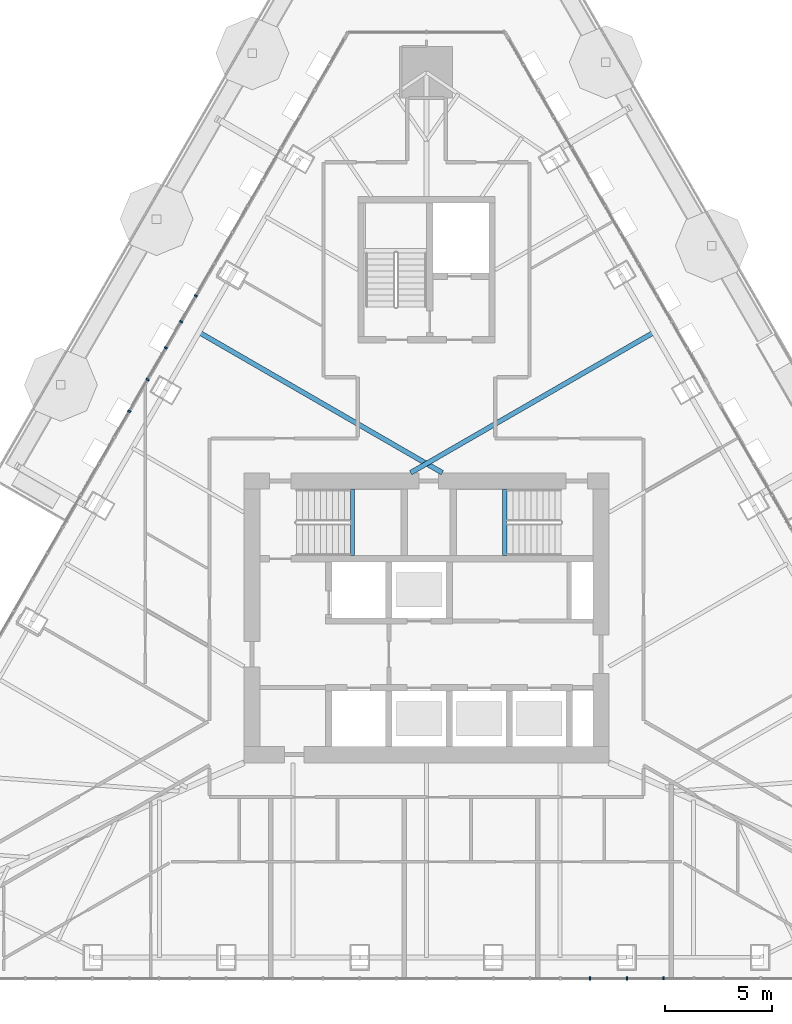
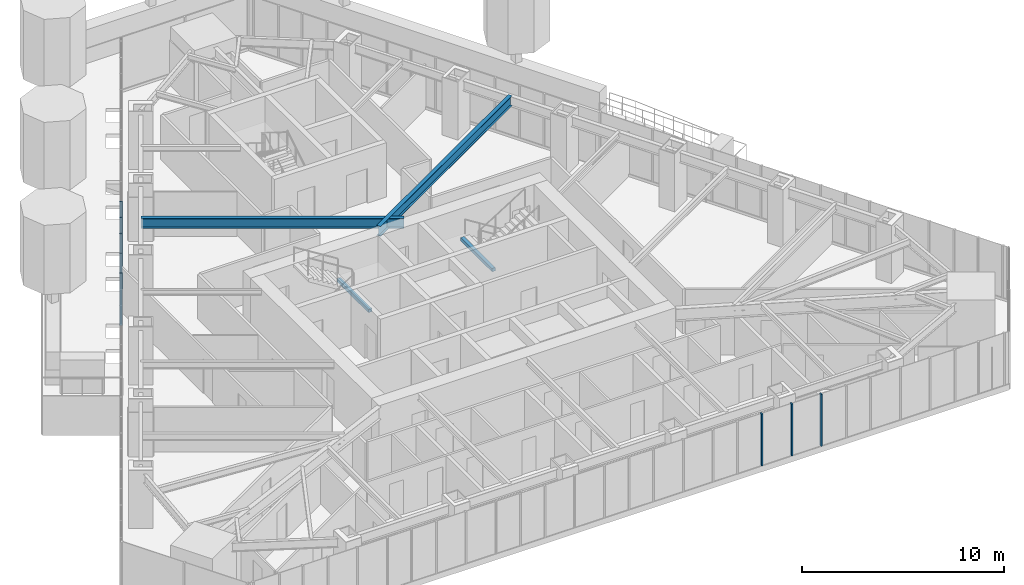
# One storey, part 7 of 22: 8 members, 4 beams, 2 elements without a shape of their own.
"""IFC4 building model written with IfcOpenShell, lengths in metres."""

from ifc_helpers import new_model, si_unit, direction, frame, origin, origin_2d, place, context, subcontext, project, spatial, rectangle, i_section, extrude, material, layer, layer_set, material_profile, profile_set, type_object, element, aggregate, save


model = new_model("IFC4")

# Units and contexts
model_context = context("Model", 3, precision=1e-05, world=origin(), true_north=direction((0.0, 1.0)))
body_context = subcontext(model_context, "Body", "Model", "MODEL_VIEW")
ifc_project = project(units=[si_unit("LENGTHUNIT", "METRE"), si_unit("AREAUNIT", "SQUARE_METRE"), si_unit("VOLUMEUNIT", "CUBIC_METRE"), si_unit("PLANEANGLEUNIT", "RADIAN"), si_unit("MASSUNIT", "GRAM", prefix="KILO")], contexts=[model_context])

# Site, building, storey
site_placement = place(None, origin())
site = spatial("IfcSite", under=ifc_project, at=site_placement, CompositionType="ELEMENT")
building_placement = place(site_placement, origin())
building = spatial("IfcBuilding", under=site, at=building_placement, Name="Firuza Gate Tower and Library", CompositionType="ELEMENT")
storey_placement = place(building_placement, frame((0.0, 0.0, 295.10009765625)))
storey = spatial("IfcBuildingStorey", under=building, at=storey_placement, Name="L71", CompositionType="ELEMENT", Elevation=295.10009765625)

# Curtain wall, members
ifc_material_1 = material(Name="Aluminium 6063-T6", Category="aluminium")
ifc_layer = layer(ifc_material_1, 0.14990234375)
ifc_layer_set = layer_set([ifc_layer], Name="Unitised curtain wall, residences")
curtain_wall_type = type_object("IfcCurtainWallType", Name="Unitised curtain wall, residences", PredefinedType="NOTDEFINED", material=ifc_layer_set)
placement = place(storey_placement, origin())
curtain_wall_1 = element("IfcCurtainWall", 1, at=placement, inside=storey, type_object=curtain_wall_type, Name="CW3 L71 S face", PredefinedType="NOTDEFINED")
ifc_material_2 = material(Name="Aluminium 6063-T6", Category="aluminium")
ifc_material_profile_1 = material_profile(ifc_material_2, rectangle(XDim=0.14990234375, YDim=0.080078125, at=origin_2d()))
ifc_profile_set_1 = profile_set([ifc_material_profile_1], Name="Aluminium 6063-T6")
member_type = type_object("IfcMemberType", Name="Curtain wall mullion 80x150", PredefinedType="MULLION", material=ifc_profile_set_1)
member_1_placement = place(storey_placement, frame((84.338623046875, 58.212646484375, 0.14990234375), z_axis=(0.0, 0.0, 1.0), x_axis=(0.0, 1.0, 0.0)))
member_1 = element("IfcMember", 2, at=member_1_placement, type_object=member_type, Name="Mullion", PredefinedType="MULLION", context=body_context, shape_type="SweptSolid", body=[
    extrude(rectangle(XDim=0.14990234375, YDim=0.080078125, at=origin_2d()), origin(), (0.0, 0.0, 1.0), 3.14990234375),
])
member_2_placement = place(storey_placement, frame((82.61181640625, 58.212646484375, 0.14990234375), z_axis=(0.0, 0.0, 1.0), x_axis=(0.0, 1.0, 0.0)))
member_2 = element("IfcMember", 3, at=member_2_placement, type_object=member_type, Name="Mullion", PredefinedType="MULLION", context=body_context, shape_type="SweptSolid", body=[
    extrude(rectangle(XDim=0.14990234375, YDim=0.080078125, at=origin_2d()), origin(), (0.0, 0.0, 1.0), 3.14990234375),
])
member_3_placement = place(storey_placement, frame((86.028076171875, 58.212646484375, 0.14990234375), z_axis=(0.0, 0.0, 1.0), x_axis=(0.0, 1.0, 0.0)))
member_3 = element("IfcMember", 4, at=member_3_placement, type_object=member_type, Name="Mullion", PredefinedType="MULLION", context=body_context, shape_type="SweptSolid", body=[
    extrude(rectangle(XDim=0.14990234375, YDim=0.080078125, at=origin_2d()), origin(), (0.0, 0.0, 1.0), 3.14990234375),
])
aggregate(curtain_wall_1, [member_1, member_2, member_3])

curtain_wall_2 = element("IfcCurtainWall", 5, at=placement, inside=storey, type_object=curtain_wall_type, Name="CW3 L71 W face", PredefinedType="NOTDEFINED")
member_4_placement = place(storey_placement, frame((63.574462890625, 88.785400390625, 0.14990234375), z_axis=(0.0, 0.0, 1.0), x_axis=(0.866025403784, -0.5, 0.0)))
member_4 = element("IfcMember", 6, at=member_4_placement, type_object=member_type, Name="Mullion", PredefinedType="MULLION", context=body_context, shape_type="SweptSolid", body=[
    extrude(rectangle(XDim=0.14990234375, YDim=0.080078125, at=origin_2d()), origin(), (0.0, 0.0, 1.0), 3.14990234375),
])
member_5_placement = place(storey_placement, frame((62.01806640625, 86.089599609375, 0.14990234375), z_axis=(0.0, 0.0, 1.0), x_axis=(0.866025403784, -0.5, 0.0)))
member_5 = element("IfcMember", 7, at=member_5_placement, type_object=member_type, Name="Mullion", PredefinedType="MULLION", context=body_context, shape_type="SweptSolid", body=[
    extrude(rectangle(XDim=0.14990234375, YDim=0.080078125, at=origin_2d()), origin(), (0.0, 0.0, 1.0), 3.14990234375),
])
member_6_placement = place(storey_placement, frame((64.267578125, 89.985595703125, 0.14990234375), z_axis=(0.0, 0.0, 1.0), x_axis=(0.866025403784, -0.5, 0.0)))
member_6 = element("IfcMember", 8, at=member_6_placement, type_object=member_type, Name="Mullion", PredefinedType="MULLION", context=body_context, shape_type="SweptSolid", body=[
    extrude(rectangle(XDim=0.14990234375, YDim=0.080078125, at=origin_2d()), origin(), (0.0, 0.0, 1.0), 3.14990234375),
])
member_7_placement = place(storey_placement, frame((62.869140625, 87.5634765625, 0.14990234375), z_axis=(0.0, 0.0, 1.0), x_axis=(0.866025403784, -0.5, 0.0)))
member_7 = element("IfcMember", 9, at=member_7_placement, type_object=member_type, Name="Mullion", PredefinedType="MULLION", context=body_context, shape_type="SweptSolid", body=[
    extrude(rectangle(XDim=0.14990234375, YDim=0.080078125, at=origin_2d()), origin(), (0.0, 0.0, 1.0), 3.14990234375),
])
member_8_placement = place(storey_placement, frame((61.160888671875, 84.604736328125, 0.14990234375), z_axis=(0.0, 0.0, 1.0), x_axis=(0.866025403784, -0.5, 0.0)))
member_8 = element("IfcMember", 10, at=member_8_placement, type_object=member_type, Name="Mullion", PredefinedType="MULLION", context=body_context, shape_type="SweptSolid", body=[
    extrude(rectangle(XDim=0.14990234375, YDim=0.080078125, at=origin_2d()), origin(), (0.0, 0.0, 1.0), 3.14990234375),
])
aggregate(curtain_wall_2, [member_4, member_5, member_6, member_7, member_8])

# Beams
ifc_material_3 = material(Name="Concrete C35/45", Category="concrete")
ifc_material_profile_2 = material_profile(ifc_material_3, rectangle(XDim=0.199951171875, YDim=0.199951171875, at=origin_2d()))
ifc_profile_set_2 = profile_set([ifc_material_profile_2], Name="Concrete C35/45")
beam_type_1 = type_object("IfcBeamType", Name="Stair landing bearer 200x200", PredefinedType="BEAM", material=ifc_profile_set_2)
for number, where, z_axis, x_axis, name in (
    (11, (71.56005859375, 77.89990234375, 1.449951171875), (0.0, 1.0, 0.0), (-1.0, 0.0, 0.0), "Landing bearer L71 stair 1"),
    (12, (78.639892578125, 81.0, 1.449951171875), (0.0, -1.0, 0.0), (1.0, 0.0, 0.0), "Landing bearer L71 stair 2"),
):
    element("IfcBeam", number, at=place(storey_placement, frame(where, z_axis=z_axis, x_axis=x_axis)), inside=storey, type_object=beam_type_1, Name=name, PredefinedType="BEAM", context=body_context, shape_type="SweptSolid", body=[
        extrude(rectangle(XDim=0.199951171875, YDim=0.199951171875, at=origin_2d()), origin(), (0.0, 0.0, 1.0), 3.10009765625),
    ])
ifc_material_4 = material(Name="Steel S355", Category="steel")
ifc_material_profile_3 = material_profile(ifc_material_4, i_section(OverallWidth=0.22802734375, OverallDepth=0.60302734375, WebThickness=0.010498046875, FlangeThickness=0.014892578125, at=origin_2d()))
ifc_profile_set_3 = profile_set([ifc_material_profile_3], Name="Steel S355")
beam_type_2 = type_object("IfcBeamType", Name="W610x101 Floor beam", PredefinedType="JOIST", material=ifc_profile_set_3)
for number, where, z_axis, x_axis, name in (
    (13, (85.587158203125, 88.287109375, 2.998291015625), (-0.866023571793, -0.500003173089, 0.0), (0.500003173089, -0.866023571793, 0.0), "Floor beam L71 s53"),
    (14, (64.412841796875, 88.287109375, 2.998291015625), (0.866023571793, -0.500003173089, 0.0), (0.500003173089, 0.866023571793, 0.0), "Floor beam L71 s81"),
):
    element("IfcBeam", number, at=place(storey_placement, frame(where, z_axis=z_axis, x_axis=x_axis)), inside=storey, type_object=beam_type_2, Name=name, PredefinedType="JOIST", context=body_context, shape_type="SweptSolid", body=[
        extrude(i_section(OverallWidth=0.22802734375, OverallDepth=0.60302734375, WebThickness=0.010498046875, FlangeThickness=0.014892578125, at=origin_2d()), origin(), (0.0, 0.0, 1.0), 13.07421875),
    ])

save(model, "model.ifc")
